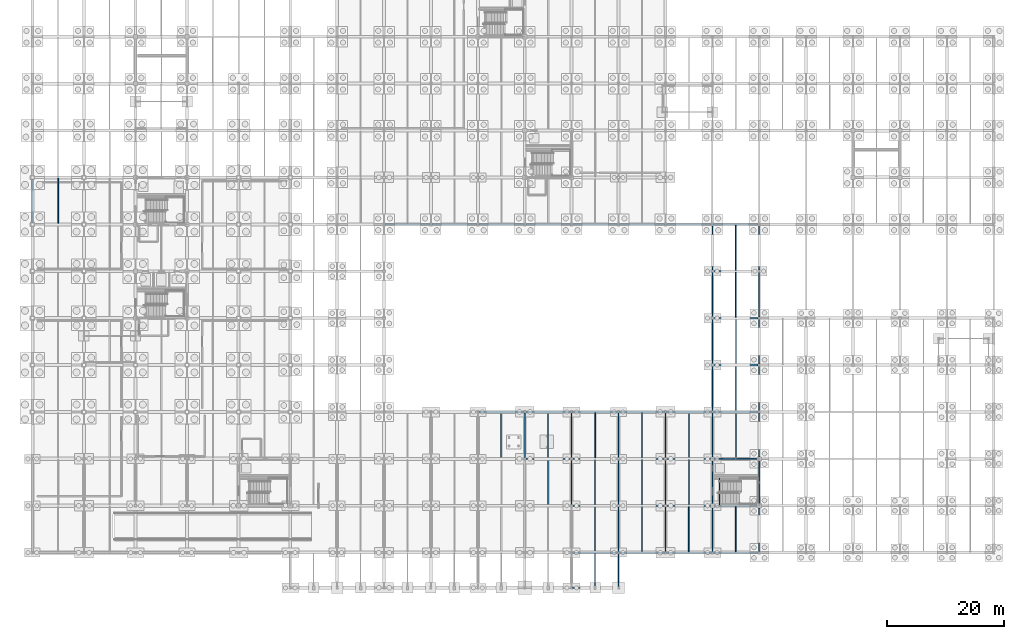
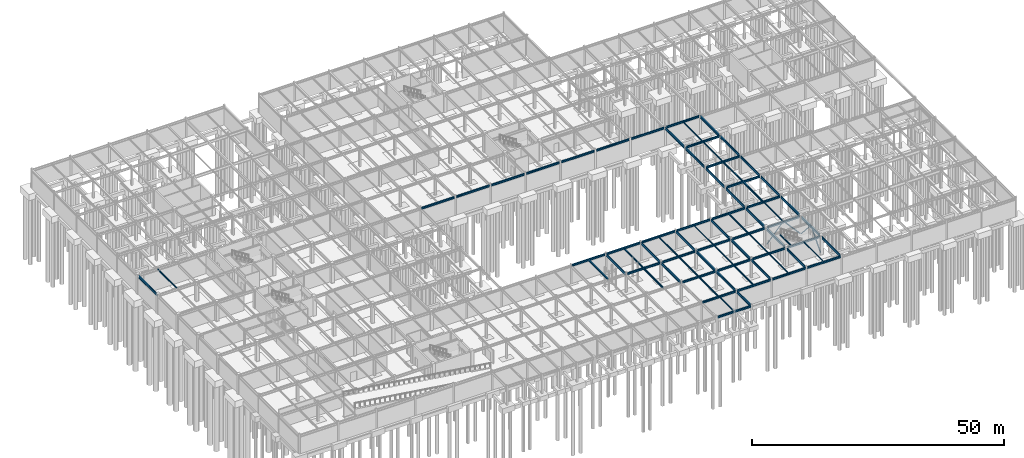
# One storey, part 35 of 72: 77 beams, 4 members.
"""IFC4 building model written with IfcOpenShell, lengths in metres."""

import ifcopenshell
import ifcopenshell.guid

model = None  # the IFC model being written
_history = None  # IfcOwnerHistory: only IFC2X3 demands one
_inside = {}  # id of a spatial element -> (the spatial element, [elements in it])
_under = {}  # id of a project, library or spatial element -> (it, [spatial elements below it])
_declared = {}  # id of a project -> (the project, [libraries it declares])
_typed = {}  # id of a type object -> (the type object, [elements of that type])
_made_of = {}  # id of a material, layer set ... -> (it, [elements and type objects made of it])


def new_model(schema):
    """Start an empty IFC model of exactly this schema.

    Asked for "IFC4X3", IfcOpenShell would pick the latest addendum, in which some entities
    have other attributes; the version numbers below select the first issue.
    IFC2X3 requires an IfcOwnerHistory on every rooted entity: one is made here for all.
    """
    global model, _history
    if schema == "IFC4X3":
        model = ifcopenshell.file(schema_version=(4, 3, 0, 0))
    else:
        model = ifcopenshell.file(schema=schema)
    _inside.clear()
    _under.clear()
    _declared.clear()
    _typed.clear()
    _made_of.clear()
    _history = None
    if model.schema == "IFC2X3":
        org = make("IfcOrganization", Name="unknown")
        user = make(
            "IfcPersonAndOrganization",
            ThePerson=make("IfcPerson", FamilyName="unknown"),
            TheOrganization=org,
        )
        app = make(
            "IfcApplication",
            ApplicationDeveloper=org,
            Version="unknown",
            ApplicationFullName="unknown",
            ApplicationIdentifier="unknown",
        )
        _history = make(
            "IfcOwnerHistory",
            OwningUser=user,
            OwningApplication=app,
            ChangeAction="ADDED",
            CreationDate=0,
        )
    return model


def make(cls, **values):
    """One entity of the class cls with the attributes given. An attribute that is None is left unset."""
    return model.create_entity(
        cls, **{name: value for name, value in values.items() if value is not None}
    )


def rooted(cls, **values):
    """An entity with a GlobalId (a new one), such as an element, a storey or a relation."""
    return make(cls, GlobalId=ifcopenshell.guid.new(), OwnerHistory=_history, **values)


def si_unit(unit_type, name, prefix=None):
    """IfcSIUnit, for example si_unit("LENGTHUNIT", "METRE", prefix="MILLI")."""
    return make("IfcSIUnit", UnitType=unit_type, Prefix=prefix, Name=name)


def assignment(units):
    """IfcUnitAssignment: the units of a project."""
    return None if units is None else make("IfcUnitAssignment", Units=units)


def point(xyz):
    """IfcCartesianPoint."""
    return None if xyz is None else make("IfcCartesianPoint", Coordinates=xyz)


def direction(xyz):
    """IfcDirection."""
    return None if xyz is None else make("IfcDirection", DirectionRatios=xyz)


def frame(location, z_axis=None, x_axis=None):
    """IfcAxis2Placement3D, a coordinate frame: its origin and axes. An axis left out is left unset."""
    return make(
        "IfcAxis2Placement3D",
        Location=point(location),
        Axis=direction(z_axis),
        RefDirection=direction(x_axis),
    )


def frame_2d(location, x_axis=None):
    """IfcAxis2Placement2D, a coordinate frame in the plane: its origin and x axis."""
    return make(
        "IfcAxis2Placement2D", Location=point(location), RefDirection=direction(x_axis)
    )


def origin():
    """The frame at (0, 0, 0) with its axes left unset."""
    return frame((0.0, 0.0, 0.0))


def origin_2d():
    """The frame at (0, 0) in the plane with its x axis left unset."""
    return frame_2d((0.0, 0.0))


def place(relative_to, where):
    """IfcLocalPlacement: puts the frame where relative to a parent placement (None: the world)."""
    return make(
        "IfcLocalPlacement", PlacementRelTo=relative_to, RelativePlacement=where
    )


def context(
    kind, dimensions, precision=None, world=None, true_north=None, identifier=None
):
    """IfcGeometricRepresentationContext, for example the 3D "Model" context."""
    return make(
        "IfcGeometricRepresentationContext",
        ContextIdentifier=identifier,
        ContextType=kind,
        CoordinateSpaceDimension=dimensions,
        Precision=precision,
        WorldCoordinateSystem=world,
        TrueNorth=true_north,
    )


def subcontext(parent, identifier, kind, view, scale=None):
    """IfcGeometricRepresentationSubContext, for example "Body" below "Model"."""
    return make(
        "IfcGeometricRepresentationSubContext",
        ContextIdentifier=identifier,
        ContextType=kind,
        ParentContext=parent,
        TargetScale=scale,
        TargetView=view,
    )


def project(units=None, contexts=None):
    """IfcProject with its units and contexts."""
    return rooted(
        "IfcProject",
        Name="project",
        RepresentationContexts=contexts,
        UnitsInContext=assignment(units),
    )


def spatial(cls, under=None, at=None, **own):
    """A site, building, storey or space (cls), placed at a placement, below another one or the project."""
    s = rooted(cls, ObjectPlacement=at, **own)
    if under is not None:
        _under.setdefault(under.id(), (under, []))[1].append(s)
    return s


def profile(cls, at=None, kind="AREA", **sizes):
    """A parametric profile (cls). Its sizes go by their IFC names, for example OverallWidth=200.0."""
    return make(cls, ProfileType=kind, Position=at, **sizes)


def hollow_rectangle(**sizes):
    """IfcRectangleHollowProfileDef."""
    return profile("IfcRectangleHollowProfileDef", **sizes)


def hollow_circle(**sizes):
    """IfcCircleHollowProfileDef."""
    return profile("IfcCircleHollowProfileDef", **sizes)


def i_section(**sizes):
    """IfcIShapeProfileDef."""
    return profile("IfcIShapeProfileDef", **sizes)


def extrude(swept, where, along, depth):
    """IfcExtrudedAreaSolid: the profile swept, set in the frame where, extruded along a direction by depth."""
    return make(
        "IfcExtrudedAreaSolid",
        SweptArea=swept,
        Position=where,
        ExtrudedDirection=direction(along),
        Depth=depth,
    )


def shape(context_of_items, identifier, shape_type, items):
    """IfcShapeRepresentation: the items that make up one representation, for example the "Body"."""
    return make(
        "IfcShapeRepresentation",
        ContextOfItems=context_of_items,
        RepresentationIdentifier=identifier,
        RepresentationType=shape_type,
        Items=items,
    )


def material(Name=None, Category=None):
    """IfcMaterial."""
    return make("IfcMaterial", Name=Name, Category=Category)


def material_profile(
    of_material, cross_section, Name=None, Category=None, Priority=None
):
    """IfcMaterialProfile: a cross section and its material."""
    return make(
        "IfcMaterialProfile",
        Name=Name,
        Material=of_material,
        Profile=cross_section,
        Priority=Priority,
        Category=Category,
    )


def profile_set(profiles, Name=None, composite=None):
    """IfcMaterialProfileSet."""
    return make(
        "IfcMaterialProfileSet",
        Name=Name,
        MaterialProfiles=profiles,
        CompositeProfile=composite,
    )


def made_of(thing, what):
    """Note that an element or type object is made of a material, layer set ...; save() writes the relation."""
    if what is not None:
        _made_of.setdefault(what.id(), (what, []))[1].append(thing)
    return thing


def type_object(cls, material=None, **own):
    """A type object (cls), such as IfcWallType, which elements share."""
    return made_of(rooted(cls, **own), material)


def element(
    cls,
    number,
    at=None,
    inside=None,
    cuts=None,
    type_object=None,
    material=None,
    context=None,
    identifier="Body",
    shape_type=None,
    held_by="IfcProductDefinitionShape",
    body=None,
    shapes=None,
    **own,
):
    """One element of the class cls, such as IfcWall. Its Tag is "e" and its number.

    at: its placement. inside: the storey or other place that contains it. cuts: it is an
    opening in that element (IfcRelVoidsElement). A single representation is given by context,
    identifier, shape_type and body (its items); several are given by shapes. held_by: the class
    of the entity that holds the representations. save() writes the other relations.
    """
    e = rooted(cls, Tag="e%d" % number, ObjectPlacement=at, **own)
    if body is not None:
        shapes = [shape(context, identifier, shape_type, body)]
    if shapes is not None:
        e.Representation = make(held_by, Representations=shapes)
    if inside is not None:
        _inside.setdefault(inside.id(), (inside, []))[1].append(e)
    if cuts is not None:
        rooted(
            "IfcRelVoidsElement", RelatingBuildingElement=cuts, RelatedOpeningElement=e
        )
    if type_object is not None:
        _typed.setdefault(type_object.id(), (type_object, []))[1].append(e)
    return made_of(e, material)


def aggregate(whole, parts):
    """IfcRelAggregates: a whole, such as a stair, and the parts it consists of."""
    return rooted("IfcRelAggregates", RelatingObject=whole, RelatedObjects=parts)


def save(model, path):
    """Write the relations noted so far, then the file.

    IfcRelAggregates (storeys below a building ...), IfcRelContainedInSpatialStructure (elements
    in a storey), IfcRelDefinesByType, IfcRelAssociatesMaterial and IfcRelDeclares: one each for
    every whole, place, type object, material and project.
    """
    for whole, parts in _under.values():
        aggregate(whole, parts)
    for where, things in _inside.values():
        rooted(
            "IfcRelContainedInSpatialStructure",
            RelatedElements=things,
            RelatingStructure=where,
        )
    for kind, things in _typed.values():
        rooted("IfcRelDefinesByType", RelatedObjects=things, RelatingType=kind)
    for what, things in _made_of.values():
        rooted("IfcRelAssociatesMaterial", RelatedObjects=things, RelatingMaterial=what)
    for by, libraries in _declared.values():
        rooted("IfcRelDeclares", RelatingContext=by, RelatedDefinitions=libraries)
    model.write(path)


model = new_model("IFC4")

# Units and contexts
model_context = context("Model", 3, precision=1e-05, world=origin(), true_north=direction((0.0, 1.0)))
body_context = subcontext(model_context, "Body", "Model", "MODEL_VIEW")
ifc_project = project(units=[si_unit("LENGTHUNIT", "METRE"), si_unit("AREAUNIT", "SQUARE_METRE"), si_unit("VOLUMEUNIT", "CUBIC_METRE"), si_unit("PLANEANGLEUNIT", "RADIAN"), si_unit("MASSUNIT", "GRAM", prefix="KILO")], contexts=[model_context])

# Site, building, storey
site_placement = place(None, origin())
site = spatial("IfcSite", under=ifc_project, at=site_placement, CompositionType="ELEMENT")
building_placement = place(site_placement, origin())
building = spatial("IfcBuilding", under=site, at=building_placement, Name="Zhaolan Boulevard Law Courts", CompositionType="ELEMENT")
storey_placement = place(building_placement, frame((0.0, 0.0, -4.800048828125)))
storey = spatial("IfcBuildingStorey", under=building, at=storey_placement, Name="B1", CompositionType="ELEMENT", Elevation=-4.800048828125)

# Members
ifc_material_1 = material(Name="Structural steel Q355B", Category="steel")
ifc_material_profile_1 = material_profile(ifc_material_1, hollow_circle(Radius=0.109619140625, WallThickness=0.008056640625, at=origin_2d()), Name="CHS219x8")
ifc_profile_set_1 = profile_set([ifc_material_profile_1], Name="Structural steel Q355B")
member_type_1 = type_object("IfcMemberType", Name="BRACE CHS219", PredefinedType="BRACE", material=ifc_profile_set_1)
member_1_placement = place(storey_placement, frame((124.0, 21.820068359375, 0.199951171875), z_axis=(0.0, -0.662424974315, 0.749128262318), x_axis=(1.0, 0.0, 0.0)))
element("IfcMember", 1, at=member_1_placement, inside=storey, type_object=member_type_1, Name="Core Brace BR-P2-B1-E2", PredefinedType="BRACE", context=body_context, shape_type="SweptSolid", body=[
    extrude(hollow_circle(Radius=0.109619140625, WallThickness=0.008056640625, at=origin_2d()), origin(), (0.0, 0.0, 1.0), 5.766845703125),
])
ifc_material_2 = material(Name="Structural steel Q355B", Category="steel")
ifc_material_profile_2 = material_profile(ifc_material_2, hollow_circle(Radius=0.136474609375, WallThickness=0.010009765625, at=origin_2d()), Name="CHS273x10")
ifc_profile_set_2 = profile_set([ifc_material_profile_2], Name="Structural steel Q355B")
member_type_2 = type_object("IfcMemberType", Name="BRACE CHS273", PredefinedType="BRACE", material=ifc_profile_set_2)
for number, where, z_axis, x_axis, name in (
    (2, (123.820068359375, 22.0, 0.199951171875), (-0.662424974315, 0.0, 0.749128262318), (0.0, -1.0, 0.0), "Core Brace BR-P2-B1-N2"),
    (3, (124.0, 14.179931640625, 0.199951171875), (0.0, 0.662424974315, 0.749128262318), (-1.0, 0.0, 0.0), "Core Brace BR-P2-B1-E1"),
):
    element("IfcMember", number, at=place(storey_placement, frame(where, z_axis=z_axis, x_axis=x_axis)), inside=storey, type_object=member_type_2, Name=name, PredefinedType="BRACE", context=body_context, shape_type="SweptSolid", body=[
        extrude(hollow_circle(Radius=0.136474609375, WallThickness=0.010009765625, at=origin_2d()), origin(), (0.0, 0.0, 1.0), 5.766845703125),
    ])
ifc_material_3 = material(Name="Structural steel Q355B", Category="steel")
ifc_material_profile_3 = material_profile(ifc_material_3, hollow_rectangle(XDim=0.159912109375, YDim=0.159912109375, WallThickness=0.008056640625, InnerFilletRadius=0.008056640625, OuterFilletRadius=0.01611328125, at=origin_2d()), Name="HSS160x160x8")
ifc_profile_set_3 = profile_set([ifc_material_profile_3], Name="Structural steel Q355B")
member_type_3 = type_object("IfcMemberType", Name="BRACE HSS160", PredefinedType="BRACE", material=ifc_profile_set_3)
member_2_placement = place(storey_placement, frame((116.179931640625, 22.0, 0.199951171875), z_axis=(0.662424974315, 0.0, 0.749128262318), x_axis=(0.0, 1.0, 0.0)))
element("IfcMember", 4, at=member_2_placement, inside=storey, type_object=member_type_3, Name="Core Brace BR-P2-B1-N1", PredefinedType="BRACE", context=body_context, shape_type="SweptSolid", body=[
    extrude(hollow_rectangle(XDim=0.159912109375, YDim=0.159912109375, WallThickness=0.008056640625, InnerFilletRadius=0.008056640625, OuterFilletRadius=0.01611328125, at=origin_2d()), origin(), (0.0, 0.0, 1.0), 5.766845703125),
])

# Beams
ifc_material_4 = material(Name="Structural steel Q355B", Category="steel")
ifc_material_profile_4 = material_profile(ifc_material_4, i_section(OverallWidth=0.300048828125, OverallDepth=0.43994140625, WebThickness=0.010986328125, FlangeThickness=0.01806640625, FilletRadius=0.02001953125, at=origin_2d()), Name="HM440x300")
ifc_profile_set_4 = profile_set([ifc_material_profile_4], Name="Structural steel Q355B")
beam_type_1 = type_object("IfcBeamType", Name="GIRDER HM440", PredefinedType="BEAM", material=ifc_profile_set_4)
for number, where, z_axis, x_axis, name in (
    (5, (92.1708984375, 0.0, 4.328125), (1.0, 0.0, 0.0), (0.0, 1.0, 0.0), "Beam BX-L00-12-13-A"),
    (6, (92.1708984375, 6.0, 4.278076171875), (1.0, 0.0, 0.0), (0.0, 1.0, 0.0), "Beam BX-L00-12-13-B"),
    (7, (100.1708984375, 6.0, 4.278076171875), (1.0, 0.0, 0.0), (0.0, 1.0, 0.0), "Beam BX-L00-13-14-B"),
    (8, (108.1708984375, 6.0, 4.278076171875), (1.0, 0.0, 0.0), (0.0, 1.0, 0.0), "Beam BX-L00-14-15-B"),
    (9, (116.1708984375, 6.0, 4.278076171875), (1.0, 0.0, 0.0), (0.0, 1.0, 0.0), "Beam BX-L00-15-16-B"),
):
    element("IfcBeam", number, at=place(storey_placement, frame(where, z_axis=z_axis, x_axis=x_axis)), inside=storey, type_object=beam_type_1, Name=name, PredefinedType="BEAM", context=body_context, shape_type="SweptSolid", body=[
        extrude(i_section(OverallWidth=0.300048828125, OverallDepth=0.43994140625, WebThickness=0.010986328125, FlangeThickness=0.01806640625, FilletRadius=0.02001953125, at=origin_2d()), origin(), (0.0, 0.0, 1.0), 7.658203125),
    ])
for number, where, z_axis, x_axis, name in (
    (10, (92.196044921875, 14.0, 4.278076171875), (1.0, 0.0, 0.0), (0.0, 1.0, 0.0), "Beam BX-L00-12-13-C"),
    (11, (100.196044921875, 14.0, 4.278076171875), (1.0, 0.0, 0.0), (0.0, 1.0, 0.0), "Beam BX-L00-13-14-C"),
):
    element("IfcBeam", number, at=place(storey_placement, frame(where, z_axis=z_axis, x_axis=x_axis)), inside=storey, type_object=beam_type_1, Name=name, PredefinedType="BEAM", context=body_context, shape_type="SweptSolid", body=[
        extrude(i_section(OverallWidth=0.300048828125, OverallDepth=0.43994140625, WebThickness=0.010986328125, FlangeThickness=0.01806640625, FilletRadius=0.02001953125, at=origin_2d()), origin(), (0.0, 0.0, 1.0), 7.60791015625),
    ])
beam_1_placement = place(storey_placement, frame((108.196044921875, 14.0, 4.278076171875), z_axis=(1.0, 0.0, 0.0), x_axis=(0.0, 1.0, 0.0)))
element("IfcBeam", 12, at=beam_1_placement, inside=storey, type_object=beam_type_1, Name="Beam BX-L00-14-15-C", PredefinedType="BEAM", context=body_context, shape_type="SweptSolid", body=[
    extrude(i_section(OverallWidth=0.300048828125, OverallDepth=0.43994140625, WebThickness=0.010986328125, FlangeThickness=0.01806640625, FilletRadius=0.02001953125, at=origin_2d()), origin(), (0.0, 0.0, 1.0), 7.4580078125),
])
beam_2_placement = place(storey_placement, frame((116.345947265625, 14.0, 4.278076171875), z_axis=(1.0, 0.0, 0.0), x_axis=(0.0, 1.0, 0.0)))
element("IfcBeam", 13, at=beam_2_placement, inside=storey, type_object=beam_type_1, Name="Beam BX-L00-15-16-C", PredefinedType="BEAM", context=body_context, shape_type="SweptSolid", body=[
    extrude(i_section(OverallWidth=0.300048828125, OverallDepth=0.43994140625, WebThickness=0.010986328125, FlangeThickness=0.01806640625, FilletRadius=0.02001953125, at=origin_2d()), origin(), (0.0, 0.0, 1.0), 7.30810546875),
])
for number, where, z_axis, x_axis, name in (
    (14, (84.196044921875, 22.0, 4.278076171875), (1.0, 0.0, 0.0), (0.0, 1.0, 0.0), "Beam BX-L00-11-12-D"),
    (15, (92.196044921875, 22.0, 4.278076171875), (1.0, 0.0, 0.0), (0.0, 1.0, 0.0), "Beam BX-L00-12-13-D"),
    (16, (100.196044921875, 22.0, 4.278076171875), (1.0, 0.0, 0.0), (0.0, 1.0, 0.0), "Beam BX-L00-13-14-D"),
):
    element("IfcBeam", number, at=place(storey_placement, frame(where, z_axis=z_axis, x_axis=x_axis)), inside=storey, type_object=beam_type_1, Name=name, PredefinedType="BEAM", context=body_context, shape_type="SweptSolid", body=[
        extrude(i_section(OverallWidth=0.300048828125, OverallDepth=0.43994140625, WebThickness=0.010986328125, FlangeThickness=0.01806640625, FilletRadius=0.02001953125, at=origin_2d()), origin(), (0.0, 0.0, 1.0), 7.60791015625),
    ])
beam_3_placement = place(storey_placement, frame((108.196044921875, 22.0, 4.278076171875), z_axis=(1.0, 0.0, 0.0), x_axis=(0.0, 1.0, 0.0)))
element("IfcBeam", 17, at=beam_3_placement, inside=storey, type_object=beam_type_1, Name="Beam BX-L00-14-15-D", PredefinedType="BEAM", context=body_context, shape_type="SweptSolid", body=[
    extrude(i_section(OverallWidth=0.300048828125, OverallDepth=0.43994140625, WebThickness=0.010986328125, FlangeThickness=0.01806640625, FilletRadius=0.02001953125, at=origin_2d()), origin(), (0.0, 0.0, 1.0), 7.4580078125),
])
beam_4_placement = place(storey_placement, frame((116.345947265625, 22.0, 4.278076171875), z_axis=(1.0, 0.0, 0.0), x_axis=(0.0, 1.0, 0.0)))
element("IfcBeam", 18, at=beam_4_placement, inside=storey, type_object=beam_type_1, Name="Beam BX-L00-15-16-D", PredefinedType="BEAM", context=body_context, shape_type="SweptSolid", body=[
    extrude(i_section(OverallWidth=0.300048828125, OverallDepth=0.43994140625, WebThickness=0.010986328125, FlangeThickness=0.01806640625, FilletRadius=0.02001953125, at=origin_2d()), origin(), (0.0, 0.0, 1.0), 7.30810546875),
])
for number, where, z_axis, x_axis, name in (
    (19, (76.1708984375, 30.0, 4.278076171875), (1.0, 0.0, 0.0), (0.0, 1.0, 0.0), "Beam BX-L00-10-11-E"),
    (20, (84.1708984375, 30.0, 4.278076171875), (1.0, 0.0, 0.0), (0.0, 1.0, 0.0), "Beam BX-L00-11-12-E"),
    (21, (92.1708984375, 30.0, 4.278076171875), (1.0, 0.0, 0.0), (0.0, 1.0, 0.0), "Beam BX-L00-12-13-E"),
    (22, (100.1708984375, 30.0, 4.278076171875), (1.0, 0.0, 0.0), (0.0, 1.0, 0.0), "Beam BX-L00-13-14-E"),
    (23, (108.1708984375, 30.0, 4.278076171875), (1.0, 0.0, 0.0), (0.0, 1.0, 0.0), "Beam BX-L00-14-15-E"),
    (24, (116.1708984375, 30.0, 4.278076171875), (1.0, 0.0, 0.0), (0.0, 1.0, 0.0), "Beam BX-L00-15-16-E"),
):
    element("IfcBeam", number, at=place(storey_placement, frame(where, z_axis=z_axis, x_axis=x_axis)), inside=storey, type_object=beam_type_1, Name=name, PredefinedType="BEAM", context=body_context, shape_type="SweptSolid", body=[
        extrude(i_section(OverallWidth=0.300048828125, OverallDepth=0.43994140625, WebThickness=0.010986328125, FlangeThickness=0.01806640625, FilletRadius=0.02001953125, at=origin_2d()), origin(), (0.0, 0.0, 1.0), 7.658203125),
    ])
for number, where, z_axis, x_axis, name in (
    (25, (116.196044921875, 38.0, 4.298095703125), (1.0, 0.0, 0.0), (0.0, 1.0, 0.0), "Beam BX-L00-15-16-F"),
    (26, (116.196044921875, 46.0, 4.298095703125), (1.0, 0.0, 0.0), (0.0, 1.0, 0.0), "Beam BX-L00-15-16-G"),
    (27, (116.196044921875, 54.0, 4.298095703125), (1.0, 0.0, 0.0), (0.0, 1.0, 0.0), "Beam BX-L00-15-16-H"),
):
    element("IfcBeam", number, at=place(storey_placement, frame(where, z_axis=z_axis, x_axis=x_axis)), inside=storey, type_object=beam_type_1, Name=name, PredefinedType="BEAM", context=body_context, shape_type="SweptSolid", body=[
        extrude(i_section(OverallWidth=0.300048828125, OverallDepth=0.43994140625, WebThickness=0.010986328125, FlangeThickness=0.01806640625, FilletRadius=0.02001953125, at=origin_2d()), origin(), (0.0, 0.0, 1.0), 7.633056640625),
    ])
for number, where, z_axis, x_axis, name in (
    (28, (60.196044921875, 62.0, 4.278076171875), (1.0, 0.0, 0.0), (0.0, 1.0, 0.0), "Beam BX-L00-8-9-J"),
    (29, (68.196044921875, 62.0, 4.278076171875), (1.0, 0.0, 0.0), (0.0, 1.0, 0.0), "Beam BX-L00-9-10-J"),
    (30, (76.196044921875, 62.0, 4.278076171875), (1.0, 0.0, 0.0), (0.0, 1.0, 0.0), "Beam BX-L00-10-11-J"),
    (31, (84.196044921875, 62.0, 4.278076171875), (1.0, 0.0, 0.0), (0.0, 1.0, 0.0), "Beam BX-L00-11-12-J"),
    (32, (92.196044921875, 62.0, 4.278076171875), (1.0, 0.0, 0.0), (0.0, 1.0, 0.0), "Beam BX-L00-12-13-J"),
    (33, (100.196044921875, 62.0, 4.278076171875), (1.0, 0.0, 0.0), (0.0, 1.0, 0.0), "Beam BX-L00-13-14-J"),
    (34, (108.196044921875, 62.0, 4.278076171875), (1.0, 0.0, 0.0), (0.0, 1.0, 0.0), "Beam BX-L00-14-15-J"),
    (35, (116.196044921875, 62.0, 4.278076171875), (1.0, 0.0, 0.0), (0.0, 1.0, 0.0), "Beam BX-L00-15-16-J"),
):
    element("IfcBeam", number, at=place(storey_placement, frame(where, z_axis=z_axis, x_axis=x_axis)), inside=storey, type_object=beam_type_1, Name=name, PredefinedType="BEAM", context=body_context, shape_type="SweptSolid", body=[
        extrude(i_section(OverallWidth=0.300048828125, OverallDepth=0.43994140625, WebThickness=0.010986328125, FlangeThickness=0.01806640625, FilletRadius=0.02001953125, at=origin_2d()), origin(), (0.0, 0.0, 1.0), 7.60791015625),
    ])
ifc_material_5 = material(Name="Structural steel Q355B", Category="steel")
ifc_material_profile_5 = material_profile(ifc_material_5, i_section(OverallWidth=0.199951171875, OverallDepth=0.60009765625, WebThickness=0.010986328125, FlangeThickness=0.01708984375, FilletRadius=0.02001953125, at=origin_2d()), Name="HN600x200")
ifc_profile_set_5 = profile_set([ifc_material_profile_5], Name="Structural steel Q355B")
beam_type_2 = type_object("IfcBeamType", Name="GIRDER HN600", PredefinedType="BEAM", material=ifc_profile_set_5)
beam_5_placement = place(storey_placement, frame((0.0, 62.321044921875, 4.197998046875), z_axis=(0.0, 1.0, 0.0), x_axis=(-1.0, 0.0, 0.0)))
element("IfcBeam", 36, at=beam_5_placement, inside=storey, type_object=beam_type_2, Name="Beam BY-L00-1-J-K", PredefinedType="BEAM", context=body_context, shape_type="SweptSolid", body=[
    extrude(i_section(OverallWidth=0.199951171875, OverallDepth=0.60009765625, WebThickness=0.010986328125, FlangeThickness=0.01708984375, FilletRadius=0.02001953125, at=origin_2d()), origin(), (0.0, 0.0, 1.0), 7.35791015625),
])
beam_6_placement = place(storey_placement, frame((84.0, 22.196044921875, 4.197998046875), z_axis=(0.0, 1.0, 0.0), x_axis=(-1.0, 0.0, 0.0)))
element("IfcBeam", 37, at=beam_6_placement, inside=storey, type_object=beam_type_2, Name="Beam BY-L00-11-D-E", PredefinedType="BEAM", context=body_context, shape_type="SweptSolid", body=[
    extrude(i_section(OverallWidth=0.199951171875, OverallDepth=0.60009765625, WebThickness=0.010986328125, FlangeThickness=0.01708984375, FilletRadius=0.02001953125, at=origin_2d()), origin(), (0.0, 0.0, 1.0), 7.633056640625),
])
beam_7_placement = place(storey_placement, frame((92.0, 14.196044921875, 4.197998046875), z_axis=(0.0, 1.0, 0.0), x_axis=(-1.0, 0.0, 0.0)))
element("IfcBeam", 38, at=beam_7_placement, inside=storey, type_object=beam_type_2, Name="Beam BY-L00-12-C-D", PredefinedType="BEAM", context=body_context, shape_type="SweptSolid", body=[
    extrude(i_section(OverallWidth=0.199951171875, OverallDepth=0.60009765625, WebThickness=0.010986328125, FlangeThickness=0.01708984375, FilletRadius=0.02001953125, at=origin_2d()), origin(), (0.0, 0.0, 1.0), 7.60791015625),
])
beam_8_placement = place(storey_placement, frame((92.0, 22.196044921875, 4.197998046875), z_axis=(0.0, 1.0, 0.0), x_axis=(-1.0, 0.0, 0.0)))
element("IfcBeam", 39, at=beam_8_placement, inside=storey, type_object=beam_type_2, Name="Beam BY-L00-12-D-E", PredefinedType="BEAM", context=body_context, shape_type="SweptSolid", body=[
    extrude(i_section(OverallWidth=0.199951171875, OverallDepth=0.60009765625, WebThickness=0.010986328125, FlangeThickness=0.01708984375, FilletRadius=0.02001953125, at=origin_2d()), origin(), (0.0, 0.0, 1.0), 7.633056640625),
])
beam_9_placement = place(storey_placement, frame((100.0, 0.1708984375, 4.248046875), z_axis=(0.0, 1.0, 0.0), x_axis=(-1.0, 0.0, 0.0)))
element("IfcBeam", 40, at=beam_9_placement, inside=storey, type_object=beam_type_2, Name="Beam BY-L00-13-A-B", PredefinedType="BEAM", context=body_context, shape_type="SweptSolid", body=[
    extrude(i_section(OverallWidth=0.199951171875, OverallDepth=0.60009765625, WebThickness=0.010986328125, FlangeThickness=0.01708984375, FilletRadius=0.02001953125, at=origin_2d()), origin(), (0.0, 0.0, 1.0), 5.658203125),
])
beam_10_placement = place(storey_placement, frame((100.0, 6.1708984375, 4.197998046875), z_axis=(0.0, 1.0, 0.0), x_axis=(-1.0, 0.0, 0.0)))
element("IfcBeam", 41, at=beam_10_placement, inside=storey, type_object=beam_type_2, Name="Beam BY-L00-13-B-C", PredefinedType="BEAM", context=body_context, shape_type="SweptSolid", body=[
    extrude(i_section(OverallWidth=0.199951171875, OverallDepth=0.60009765625, WebThickness=0.010986328125, FlangeThickness=0.01708984375, FilletRadius=0.02001953125, at=origin_2d()), origin(), (0.0, 0.0, 1.0), 7.633056640625),
])
beam_11_placement = place(storey_placement, frame((100.0, 14.196044921875, 4.197998046875), z_axis=(0.0, 1.0, 0.0), x_axis=(-1.0, 0.0, 0.0)))
element("IfcBeam", 42, at=beam_11_placement, inside=storey, type_object=beam_type_2, Name="Beam BY-L00-13-C-D", PredefinedType="BEAM", context=body_context, shape_type="SweptSolid", body=[
    extrude(i_section(OverallWidth=0.199951171875, OverallDepth=0.60009765625, WebThickness=0.010986328125, FlangeThickness=0.01708984375, FilletRadius=0.02001953125, at=origin_2d()), origin(), (0.0, 0.0, 1.0), 7.60791015625),
])
for number, where, z_axis, x_axis, name in (
    (43, (100.0, 22.196044921875, 4.197998046875), (0.0, 1.0, 0.0), (-1.0, 0.0, 0.0), "Beam BY-L00-13-D-E"),
    (44, (108.0, 6.1708984375, 4.197998046875), (0.0, 1.0, 0.0), (-1.0, 0.0, 0.0), "Beam BY-L00-14-B-C"),
):
    element("IfcBeam", number, at=place(storey_placement, frame(where, z_axis=z_axis, x_axis=x_axis)), inside=storey, type_object=beam_type_2, Name=name, PredefinedType="BEAM", context=body_context, shape_type="SweptSolid", body=[
        extrude(i_section(OverallWidth=0.199951171875, OverallDepth=0.60009765625, WebThickness=0.010986328125, FlangeThickness=0.01708984375, FilletRadius=0.02001953125, at=origin_2d()), origin(), (0.0, 0.0, 1.0), 7.633056640625),
    ])
beam_12_placement = place(storey_placement, frame((108.0, 14.196044921875, 4.197998046875), z_axis=(0.0, 1.0, 0.0), x_axis=(-1.0, 0.0, 0.0)))
element("IfcBeam", 45, at=beam_12_placement, inside=storey, type_object=beam_type_2, Name="Beam BY-L00-14-C-D", PredefinedType="BEAM", context=body_context, shape_type="SweptSolid", body=[
    extrude(i_section(OverallWidth=0.199951171875, OverallDepth=0.60009765625, WebThickness=0.010986328125, FlangeThickness=0.01708984375, FilletRadius=0.02001953125, at=origin_2d()), origin(), (0.0, 0.0, 1.0), 7.60791015625),
])
beam_13_placement = place(storey_placement, frame((108.0, 22.196044921875, 4.197998046875), z_axis=(0.0, 1.0, 0.0), x_axis=(-1.0, 0.0, 0.0)))
element("IfcBeam", 46, at=beam_13_placement, inside=storey, type_object=beam_type_2, Name="Beam BY-L00-14-D-E", PredefinedType="BEAM", context=body_context, shape_type="SweptSolid", body=[
    extrude(i_section(OverallWidth=0.199951171875, OverallDepth=0.60009765625, WebThickness=0.010986328125, FlangeThickness=0.01708984375, FilletRadius=0.02001953125, at=origin_2d()), origin(), (0.0, 0.0, 1.0), 7.633056640625),
])
beam_14_placement = place(storey_placement, frame((116.0, 6.1708984375, 4.197998046875), z_axis=(0.0, 1.0, 0.0), x_axis=(-1.0, 0.0, 0.0)))
element("IfcBeam", 47, at=beam_14_placement, inside=storey, type_object=beam_type_2, Name="Beam BY-L00-15-B-C", PredefinedType="BEAM", context=body_context, shape_type="SweptSolid", body=[
    extrude(i_section(OverallWidth=0.199951171875, OverallDepth=0.60009765625, WebThickness=0.010986328125, FlangeThickness=0.01708984375, FilletRadius=0.02001953125, at=origin_2d()), origin(), (0.0, 0.0, 1.0), 7.483154296875),
])
beam_15_placement = place(storey_placement, frame((116.0, 14.345947265625, 4.197998046875), z_axis=(0.0, 1.0, 0.0), x_axis=(-1.0, 0.0, 0.0)))
element("IfcBeam", 48, at=beam_15_placement, inside=storey, type_object=beam_type_2, Name="Beam BY-L00-15-C-D", PredefinedType="BEAM", context=body_context, shape_type="SweptSolid", body=[
    extrude(i_section(OverallWidth=0.199951171875, OverallDepth=0.60009765625, WebThickness=0.010986328125, FlangeThickness=0.01708984375, FilletRadius=0.02001953125, at=origin_2d()), origin(), (0.0, 0.0, 1.0), 7.30810546875),
])
beam_16_placement = place(storey_placement, frame((116.0, 22.345947265625, 4.197998046875), z_axis=(0.0, 1.0, 0.0), x_axis=(-1.0, 0.0, 0.0)))
element("IfcBeam", 49, at=beam_16_placement, inside=storey, type_object=beam_type_2, Name="Beam BY-L00-15-D-E", PredefinedType="BEAM", context=body_context, shape_type="SweptSolid", body=[
    extrude(i_section(OverallWidth=0.199951171875, OverallDepth=0.60009765625, WebThickness=0.010986328125, FlangeThickness=0.01708984375, FilletRadius=0.02001953125, at=origin_2d()), origin(), (0.0, 0.0, 1.0), 7.483154296875),
])
beam_17_placement = place(storey_placement, frame((116.0, 30.1708984375, 4.218017578125), z_axis=(0.0, 1.0, 0.0), x_axis=(-1.0, 0.0, 0.0)))
element("IfcBeam", 50, at=beam_17_placement, inside=storey, type_object=beam_type_2, Name="Beam BY-L00-15-E-F", PredefinedType="BEAM", context=body_context, shape_type="SweptSolid", body=[
    extrude(i_section(OverallWidth=0.199951171875, OverallDepth=0.60009765625, WebThickness=0.010986328125, FlangeThickness=0.01708984375, FilletRadius=0.02001953125, at=origin_2d()), origin(), (0.0, 0.0, 1.0), 7.633056640625),
])
for number, where, z_axis, x_axis, name in (
    (51, (116.0, 38.196044921875, 4.218017578125), (0.0, 1.0, 0.0), (-1.0, 0.0, 0.0), "Beam BY-L00-15-F-G"),
    (52, (116.0, 46.196044921875, 4.218017578125), (0.0, 1.0, 0.0), (-1.0, 0.0, 0.0), "Beam BY-L00-15-G-H"),
    (53, (116.0, 54.196044921875, 4.218017578125), (0.0, 1.0, 0.0), (-1.0, 0.0, 0.0), "Beam BY-L00-15-H-J"),
):
    element("IfcBeam", number, at=place(storey_placement, frame(where, z_axis=z_axis, x_axis=x_axis)), inside=storey, type_object=beam_type_2, Name=name, PredefinedType="BEAM", context=body_context, shape_type="SweptSolid", body=[
        extrude(i_section(OverallWidth=0.199951171875, OverallDepth=0.60009765625, WebThickness=0.010986328125, FlangeThickness=0.01708984375, FilletRadius=0.02001953125, at=origin_2d()), origin(), (0.0, 0.0, 1.0), 7.60791015625),
    ])
beam_18_placement = place(storey_placement, frame((124.0, 6.1708984375, 4.197998046875), z_axis=(0.0, 1.0, 0.0), x_axis=(-1.0, 0.0, 0.0)))
element("IfcBeam", 54, at=beam_18_placement, inside=storey, type_object=beam_type_2, Name="Beam BY-L00-16-B-C", PredefinedType="BEAM", context=body_context, shape_type="SweptSolid", body=[
    extrude(i_section(OverallWidth=0.199951171875, OverallDepth=0.60009765625, WebThickness=0.010986328125, FlangeThickness=0.01708984375, FilletRadius=0.02001953125, at=origin_2d()), origin(), (0.0, 0.0, 1.0), 7.483154296875),
])
beam_19_placement = place(storey_placement, frame((124.0, 14.345947265625, 4.197998046875), z_axis=(0.0, 1.0, 0.0), x_axis=(-1.0, 0.0, 0.0)))
element("IfcBeam", 55, at=beam_19_placement, inside=storey, type_object=beam_type_2, Name="Beam BY-L00-16-C-D", PredefinedType="BEAM", context=body_context, shape_type="SweptSolid", body=[
    extrude(i_section(OverallWidth=0.199951171875, OverallDepth=0.60009765625, WebThickness=0.010986328125, FlangeThickness=0.01708984375, FilletRadius=0.02001953125, at=origin_2d()), origin(), (0.0, 0.0, 1.0), 7.30810546875),
])
beam_20_placement = place(storey_placement, frame((124.0, 22.345947265625, 4.197998046875), z_axis=(0.0, 1.0, 0.0), x_axis=(-1.0, 0.0, 0.0)))
element("IfcBeam", 56, at=beam_20_placement, inside=storey, type_object=beam_type_2, Name="Beam BY-L00-16-D-E", PredefinedType="BEAM", context=body_context, shape_type="SweptSolid", body=[
    extrude(i_section(OverallWidth=0.199951171875, OverallDepth=0.60009765625, WebThickness=0.010986328125, FlangeThickness=0.01708984375, FilletRadius=0.02001953125, at=origin_2d()), origin(), (0.0, 0.0, 1.0), 7.483154296875),
])
for number, where, z_axis, x_axis, name in (
    (57, (124.0, 30.1708984375, 4.197998046875), (0.0, 1.0, 0.0), (-1.0, 0.0, 0.0), "Beam BY-L00-16-E-F"),
    (58, (124.0, 38.1708984375, 4.197998046875), (0.0, 1.0, 0.0), (-1.0, 0.0, 0.0), "Beam BY-L00-16-F-G"),
    (59, (124.0, 46.1708984375, 4.218017578125), (0.0, 1.0, 0.0), (-1.0, 0.0, 0.0), "Beam BY-L00-16-G-H"),
):
    element("IfcBeam", number, at=place(storey_placement, frame(where, z_axis=z_axis, x_axis=x_axis)), inside=storey, type_object=beam_type_2, Name=name, PredefinedType="BEAM", context=body_context, shape_type="SweptSolid", body=[
        extrude(i_section(OverallWidth=0.199951171875, OverallDepth=0.60009765625, WebThickness=0.010986328125, FlangeThickness=0.01708984375, FilletRadius=0.02001953125, at=origin_2d()), origin(), (0.0, 0.0, 1.0), 7.658203125),
    ])
beam_21_placement = place(storey_placement, frame((124.0, 54.1708984375, 4.218017578125), z_axis=(0.0, 1.0, 0.0), x_axis=(-1.0, 0.0, 0.0)))
element("IfcBeam", 60, at=beam_21_placement, inside=storey, type_object=beam_type_2, Name="Beam BY-L00-16-H-J", PredefinedType="BEAM", context=body_context, shape_type="SweptSolid", body=[
    extrude(i_section(OverallWidth=0.199951171875, OverallDepth=0.60009765625, WebThickness=0.010986328125, FlangeThickness=0.01708984375, FilletRadius=0.02001953125, at=origin_2d()), origin(), (0.0, 0.0, 1.0), 7.633056640625),
])
ifc_material_6 = material(Name="Structural steel Q355B", Category="steel")
ifc_material_profile_6 = material_profile(ifc_material_6, i_section(OverallWidth=0.175048828125, OverallDepth=0.243896484375, WebThickness=0.007080078125, FlangeThickness=0.010986328125, FilletRadius=0.012939453125, at=origin_2d()), Name="HM244x175")
ifc_profile_set_6 = profile_set([ifc_material_profile_6], Name="Structural steel Q355B")
beam_type_3 = type_object("IfcBeamType", Name="JOIST HM244", PredefinedType="JOIST", material=ifc_profile_set_6)
beam_22_placement = place(storey_placement, frame((96.0, 0.14599609375, 4.426025390625), z_axis=(0.0, 1.0, 0.0), x_axis=(-1.0, 0.0, 0.0)))
element("IfcBeam", 61, at=beam_22_placement, inside=storey, type_object=beam_type_3, Name="Composite Joist J-L00-12A", PredefinedType="JOIST", context=body_context, shape_type="SweptSolid", body=[
    extrude(i_section(OverallWidth=0.175048828125, OverallDepth=0.243896484375, WebThickness=0.007080078125, FlangeThickness=0.010986328125, FilletRadius=0.012939453125, at=origin_2d()), origin(), (0.0, 0.0, 1.0), 5.7080078125),
])
beam_23_placement = place(storey_placement, frame((120.0, 22.14599609375, 4.3759765625), z_axis=(0.0, 1.0, 0.0), x_axis=(-1.0, 0.0, 0.0)))
element("IfcBeam", 62, at=beam_23_placement, inside=storey, type_object=beam_type_3, Name="Composite Joist J-L00-15D", PredefinedType="JOIST", context=body_context, shape_type="SweptSolid", body=[
    extrude(i_section(OverallWidth=0.175048828125, OverallDepth=0.243896484375, WebThickness=0.007080078125, FlangeThickness=0.010986328125, FilletRadius=0.012939453125, at=origin_2d()), origin(), (0.0, 0.0, 1.0), 7.7080078125),
])
ifc_material_7 = material(Name="Structural steel Q355B", Category="steel")
ifc_material_profile_7 = material_profile(ifc_material_7, i_section(OverallWidth=0.199951171875, OverallDepth=0.2939453125, WebThickness=0.008056640625, FlangeThickness=0.011962890625, FilletRadius=0.01611328125, at=origin_2d()), Name="HM294x200")
ifc_profile_set_7 = profile_set([ifc_material_profile_7], Name="Structural steel Q355B")
beam_type_4 = type_object("IfcBeamType", Name="JOIST HM294", PredefinedType="JOIST", material=ifc_profile_set_7)
beam_24_placement = place(storey_placement, frame((112.0, 22.14599609375, 4.35107421875), z_axis=(0.0, 1.0, 0.0), x_axis=(-1.0, 0.0, 0.0)))
element("IfcBeam", 63, at=beam_24_placement, inside=storey, type_object=beam_type_4, Name="Composite Joist J-L00-14D", PredefinedType="JOIST", context=body_context, shape_type="SweptSolid", body=[
    extrude(i_section(OverallWidth=0.199951171875, OverallDepth=0.2939453125, WebThickness=0.008056640625, FlangeThickness=0.011962890625, FilletRadius=0.01611328125, at=origin_2d()), origin(), (0.0, 0.0, 1.0), 7.7080078125),
])
ifc_material_8 = material(Name="Structural steel Q355B", Category="steel")
ifc_material_profile_8 = material_profile(ifc_material_8, i_section(OverallWidth=0.125, OverallDepth=0.25, WebThickness=0.006103515625, FlangeThickness=0.009033203125, FilletRadius=0.010009765625, at=origin_2d()), Name="HN250x125")
ifc_profile_set_8 = profile_set([ifc_material_profile_8], Name="Structural steel Q355B")
beam_type_5 = type_object("IfcBeamType", Name="JOIST HN250", PredefinedType="JOIST", material=ifc_profile_set_8)
for number, where, z_axis, x_axis, name in (
    (64, (104.0, 22.14599609375, 4.373046875), (0.0, 1.0, 0.0), (-1.0, 0.0, 0.0), "Composite Joist J-L00-13D"),
    (65, (112.0, 14.14599609375, 4.373046875), (0.0, 1.0, 0.0), (-1.0, 0.0, 0.0), "Composite Joist J-L00-14C"),
    (66, (120.0, 6.14599609375, 4.373046875), (0.0, 1.0, 0.0), (-1.0, 0.0, 0.0), "Composite Joist J-L00-15B"),
    (67, (120.0, 54.14599609375, 4.39306640625), (0.0, 1.0, 0.0), (-1.0, 0.0, 0.0), "Composite Joist J-L00-15H"),
):
    element("IfcBeam", number, at=place(storey_placement, frame(where, z_axis=z_axis, x_axis=x_axis)), inside=storey, type_object=beam_type_5, Name=name, PredefinedType="JOIST", context=body_context, shape_type="SweptSolid", body=[
        extrude(i_section(OverallWidth=0.125, OverallDepth=0.25, WebThickness=0.006103515625, FlangeThickness=0.009033203125, FilletRadius=0.010009765625, at=origin_2d()), origin(), (0.0, 0.0, 1.0), 7.7080078125),
    ])
ifc_material_9 = material(Name="Structural steel Q355B", Category="steel")
ifc_material_profile_9 = material_profile(ifc_material_9, i_section(OverallWidth=0.14990234375, OverallDepth=0.300048828125, WebThickness=0.006591796875, FlangeThickness=0.009033203125, FilletRadius=0.010986328125, at=origin_2d()), Name="HN300x150")
ifc_profile_set_9 = profile_set([ifc_material_profile_9], Name="Structural steel Q355B")
beam_type_6 = type_object("IfcBeamType", Name="JOIST HN300", PredefinedType="JOIST", material=ifc_profile_set_9)
for number, where, z_axis, x_axis, name in (
    (68, (4.39990234375, 62.14599609375, 4.34814453125), (0.0, 1.0, 0.0), (-1.0, 0.0, 0.0), "Composite Joist J-L00-1J"),
    (69, (96.0, 22.14599609375, 4.34814453125), (0.0, 1.0, 0.0), (-1.0, 0.0, 0.0), "Composite Joist J-L00-12D"),
    (70, (104.0, 14.14599609375, 4.34814453125), (0.0, 1.0, 0.0), (-1.0, 0.0, 0.0), "Composite Joist J-L00-13C"),
    (71, (112.0, 6.14599609375, 4.34814453125), (0.0, 1.0, 0.0), (-1.0, 0.0, 0.0), "Composite Joist J-L00-14B"),
    (72, (120.0, 46.14599609375, 4.3681640625), (0.0, 1.0, 0.0), (-1.0, 0.0, 0.0), "Composite Joist J-L00-15G"),
):
    element("IfcBeam", number, at=place(storey_placement, frame(where, z_axis=z_axis, x_axis=x_axis)), inside=storey, type_object=beam_type_6, Name=name, PredefinedType="JOIST", context=body_context, shape_type="SweptSolid", body=[
        extrude(i_section(OverallWidth=0.14990234375, OverallDepth=0.300048828125, WebThickness=0.006591796875, FlangeThickness=0.009033203125, FilletRadius=0.010986328125, at=origin_2d()), origin(), (0.0, 0.0, 1.0), 7.7080078125),
    ])
ifc_material_10 = material(Name="Structural steel Q355B", Category="steel")
ifc_material_profile_10 = material_profile(ifc_material_10, i_section(OverallWidth=0.175048828125, OverallDepth=0.35009765625, WebThickness=0.007080078125, FlangeThickness=0.010986328125, FilletRadius=0.012939453125, at=origin_2d()), Name="HN350x175")
ifc_profile_set_10 = profile_set([ifc_material_profile_10], Name="Structural steel Q355B")
beam_type_7 = type_object("IfcBeamType", Name="JOIST HN350", PredefinedType="JOIST", material=ifc_profile_set_10)
for number, where, z_axis, x_axis, name in (
    (73, (88.0, 22.14599609375, 4.322998046875), (0.0, 1.0, 0.0), (-1.0, 0.0, 0.0), "Composite Joist J-L00-11D"),
    (74, (96.0, 14.14599609375, 4.322998046875), (0.0, 1.0, 0.0), (-1.0, 0.0, 0.0), "Composite Joist J-L00-12C"),
    (75, (104.0, 6.14599609375, 4.322998046875), (0.0, 1.0, 0.0), (-1.0, 0.0, 0.0), "Composite Joist J-L00-13B"),
    (76, (120.0, 38.14599609375, 4.343017578125), (0.0, 1.0, 0.0), (-1.0, 0.0, 0.0), "Composite Joist J-L00-15F"),
):
    element("IfcBeam", number, at=place(storey_placement, frame(where, z_axis=z_axis, x_axis=x_axis)), inside=storey, type_object=beam_type_7, Name=name, PredefinedType="JOIST", context=body_context, shape_type="SweptSolid", body=[
        extrude(i_section(OverallWidth=0.175048828125, OverallDepth=0.35009765625, WebThickness=0.007080078125, FlangeThickness=0.010986328125, FilletRadius=0.012939453125, at=origin_2d()), origin(), (0.0, 0.0, 1.0), 7.7080078125),
    ])
ifc_material_11 = material(Name="Structural steel Q355B", Category="steel")
ifc_material_profile_11 = material_profile(ifc_material_11, i_section(OverallWidth=0.199951171875, OverallDepth=0.39990234375, WebThickness=0.008056640625, FlangeThickness=0.012939453125, FilletRadius=0.013916015625, at=origin_2d()), Name="HN400x200")
ifc_profile_set_11 = profile_set([ifc_material_profile_11], Name="Structural steel Q355B")
beam_type_8 = type_object("IfcBeamType", Name="JOIST HN400", PredefinedType="JOIST", material=ifc_profile_set_11)
for number, where, z_axis, x_axis, name in (
    (77, (80.0, 22.14599609375, 4.298095703125), (0.0, 1.0, 0.0), (-1.0, 0.0, 0.0), "Composite Joist J-L00-10D"),
    (78, (88.0, 14.14599609375, 4.298095703125), (0.0, 1.0, 0.0), (-1.0, 0.0, 0.0), "Composite Joist J-L00-11C"),
    (79, (96.0, 6.14599609375, 4.298095703125), (0.0, 1.0, 0.0), (-1.0, 0.0, 0.0), "Composite Joist J-L00-12B"),
    (80, (120.0, 30.14599609375, 4.318115234375), (0.0, 1.0, 0.0), (-1.0, 0.0, 0.0), "Composite Joist J-L00-15E"),
):
    element("IfcBeam", number, at=place(storey_placement, frame(where, z_axis=z_axis, x_axis=x_axis)), inside=storey, type_object=beam_type_8, Name=name, PredefinedType="JOIST", context=body_context, shape_type="SweptSolid", body=[
        extrude(i_section(OverallWidth=0.199951171875, OverallDepth=0.39990234375, WebThickness=0.008056640625, FlangeThickness=0.012939453125, FilletRadius=0.013916015625, at=origin_2d()), origin(), (0.0, 0.0, 1.0), 7.7080078125),
    ])
ifc_material_12 = material(Name="Structural steel Q355B", Category="steel")
ifc_material_profile_12 = material_profile(ifc_material_12, i_section(OverallWidth=0.175048828125, OverallDepth=0.35009765625, WebThickness=0.007080078125, FlangeThickness=0.010986328125, FilletRadius=0.012939453125, at=origin_2d()), Name="HN350x175")
ifc_profile_set_12 = profile_set([ifc_material_profile_12], Name="Structural steel Q355B")
beam_type_9 = type_object("IfcBeamType", Name="STAIR TRIMMER HN350", PredefinedType="BEAM", material=ifc_profile_set_12)
beam_25_placement = place(storey_placement, frame((117.235107421875, 14.1650390625, 4.31494140625), z_axis=(0.0, 1.0, 0.0), x_axis=(-1.0, 0.0, 0.0)))
element("IfcBeam", 81, at=beam_25_placement, inside=storey, type_object=beam_type_9, Name="Stair Landing Trimmer Beam STB-ST05-L00", PredefinedType="BEAM", context=body_context, shape_type="SweptSolid", body=[
    extrude(i_section(OverallWidth=0.175048828125, OverallDepth=0.35009765625, WebThickness=0.007080078125, FlangeThickness=0.010986328125, FilletRadius=0.012939453125, at=origin_2d()), origin(), (0.0, 0.0, 1.0), 4.544921875),
])

save(model, "model.ifc")
